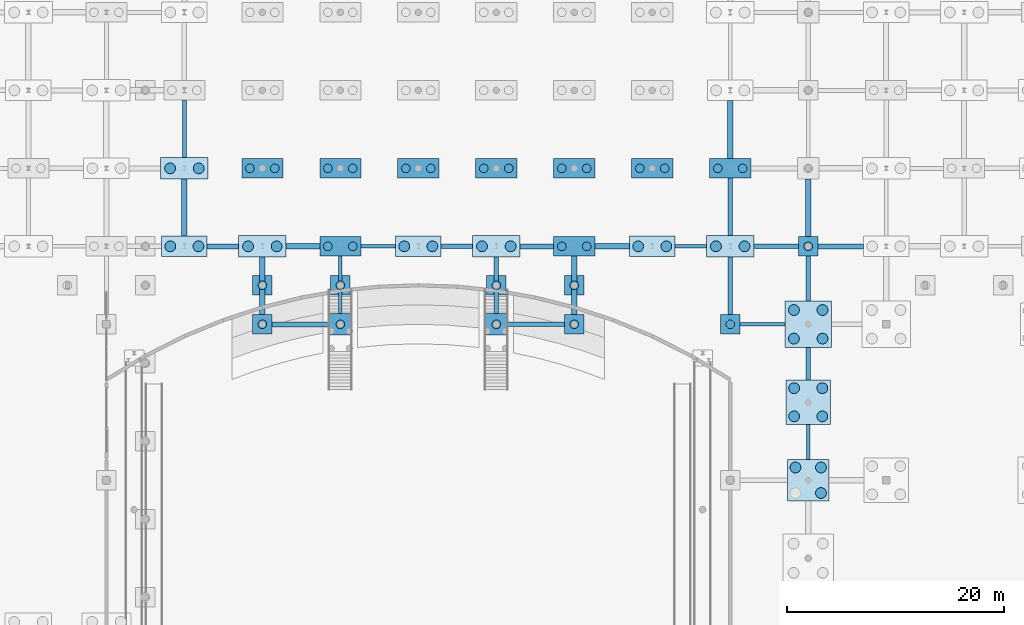
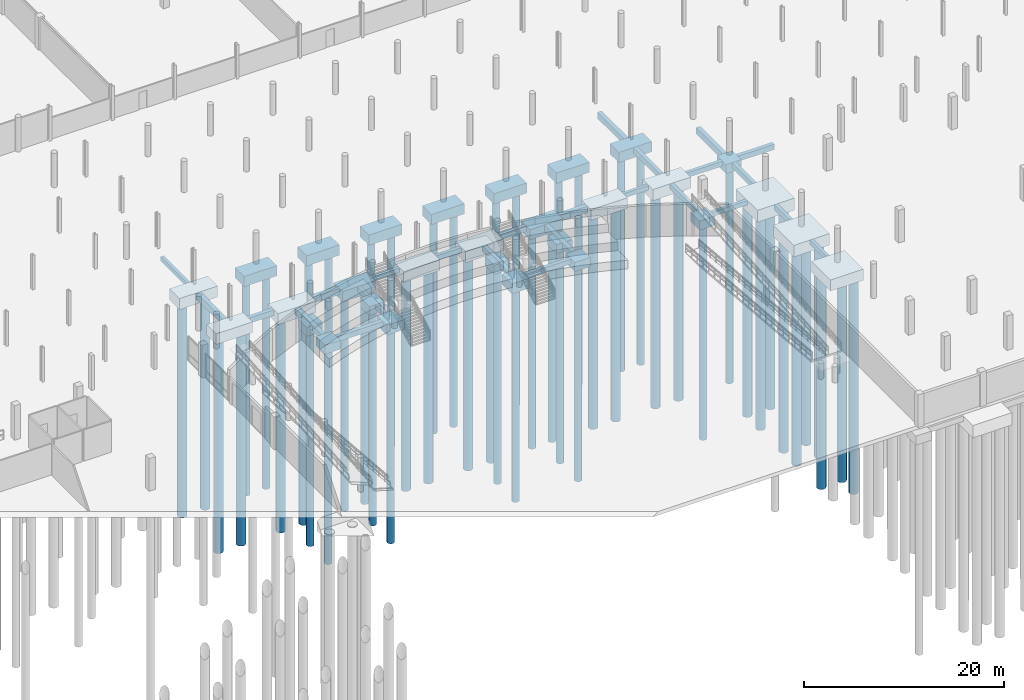
# One storey, part 5 of 56: 54 footings, 53 piles.
"""IFC4 building model written with IfcOpenShell, lengths in metres."""

from ifc_helpers import new_model, si_unit, direction, frame, origin, origin_2d, place, context, subcontext, project, spatial, rectangle, circle, extrude, material, material_profile, profile_set, type_object, element, save


model = new_model("IFC4")

# Units and contexts
model_context = context("Model", 3, precision=1e-05, world=origin(), true_north=direction((0.0, 1.0)))
body_context = subcontext(model_context, "Body", "Model", "MODEL_VIEW")
ifc_project = project(units=[si_unit("LENGTHUNIT", "METRE"), si_unit("AREAUNIT", "SQUARE_METRE"), si_unit("VOLUMEUNIT", "CUBIC_METRE"), si_unit("PLANEANGLEUNIT", "RADIAN"), si_unit("MASSUNIT", "GRAM", prefix="KILO")], contexts=[model_context])

# Site, building, storey
site_placement = place(None, origin())
site = spatial("IfcSite", under=ifc_project, at=site_placement, CompositionType="ELEMENT")
building_placement = place(site_placement, origin())
building = spatial("IfcBuilding", under=site, at=building_placement, Name="Suanplinth Sawtooth Commons", CompositionType="ELEMENT")
storey_placement = place(building_placement, frame((0.0, 0.0, -4.199951171875)))
storey = spatial("IfcBuildingStorey", under=building, at=storey_placement, Name="B1", CompositionType="ELEMENT", Elevation=-4.199951171875)

# Footings
ifc_material_1 = material(Name="Concrete C35/45", Category="concrete")
ifc_material_profile_1 = material_profile(ifc_material_1, rectangle(XDim=0.449951171875, YDim=0.64990234375, at=origin_2d()), Name="PC-GDR 450x650")
ifc_profile_set_1 = profile_set([ifc_material_profile_1], Name="Concrete C35/45")
footing_type_1 = type_object("IfcFootingType", Name="FB-01", PredefinedType="FOOTING_BEAM", material=ifc_profile_set_1)
footing_1_placement = place(storey_placement, frame((66.89990234375, 50.39990234375, -0.824951171875), z_axis=(1.0, 0.0, 0.0), x_axis=(0.0, 1.0, 0.0)))
element("IfcFooting", 1, at=footing_1_placement, inside=storey, type_object=footing_type_1, Name="Foundation Tie Beam 10-11/H", PredefinedType="FOOTING_BEAM", context=body_context, shape_type="SweptSolid", body=[
    extrude(rectangle(XDim=0.449951171875, YDim=0.64990234375, at=origin_2d()), origin(), (0.0, 0.0, 1.0), 2.900146484375),
])
footing_2_placement = place(storey_placement, frame((72.89990234375, 43.199951171875, -0.824951171875), z_axis=(1.0, 0.0, 0.0), x_axis=(0.0, 1.0, 0.0)))
element("IfcFooting", 2, at=footing_2_placement, inside=storey, type_object=footing_type_1, Name="Foundation Tie Beam 11-12/G", PredefinedType="FOOTING_BEAM", context=body_context, shape_type="SweptSolid", body=[
    extrude(rectangle(XDim=0.449951171875, YDim=0.64990234375, at=origin_2d()), origin(), (0.0, 0.0, 1.0), 5.300048828125),
])
footing_3_placement = place(storey_placement, frame((93.60009765625, 44.199951171875, -0.824951171875), z_axis=(0.0, 1.0, 0.0), x_axis=(-1.0, 0.0, 0.0)))
element("IfcFooting", 3, at=footing_3_placement, inside=storey, type_object=footing_type_1, Name="Foundation Tie Beam 14/G-H", PredefinedType="FOOTING_BEAM", context=body_context, shape_type="SweptSolid", body=[
    extrude(rectangle(XDim=0.449951171875, YDim=0.64990234375, at=origin_2d()), origin(), (0.0, 0.0, 1.0), 5.199951171875),
])
footing_4_placement = place(storey_placement, frame((95.800048828125, 50.39990234375, -0.824951171875), z_axis=(1.0, 0.0, 0.0), x_axis=(0.0, 1.0, 0.0)))
element("IfcFooting", 4, at=footing_4_placement, inside=storey, type_object=footing_type_1, Name="Foundation Tie Beam 14-15/H", PredefinedType="FOOTING_BEAM", context=body_context, shape_type="SweptSolid", body=[
    extrude(rectangle(XDim=0.449951171875, YDim=0.64990234375, at=origin_2d()), origin(), (0.0, 0.0, 1.0), 3.099853515625),
])
footing_5_placement = place(storey_placement, frame((115.199951171875, 51.39990234375, -0.824951171875), z_axis=(0.0, 1.0, 0.0), x_axis=(-1.0, 0.0, 0.0)))
element("IfcFooting", 5, at=footing_5_placement, inside=storey, type_object=footing_type_1, Name="Foundation Tie Beam 17/H-J", PredefinedType="FOOTING_BEAM", context=body_context, shape_type="SweptSolid", body=[
    extrude(rectangle(XDim=0.449951171875, YDim=0.64990234375, at=origin_2d()), origin(), (0.0, 0.0, 1.0), 5.300048828125),
])
footing_6_placement = place(storey_placement, frame((122.39990234375, 45.35009765625, -0.824951171875), z_axis=(0.0, 1.0, 0.0), x_axis=(-1.0, 0.0, 0.0)))
element("IfcFooting", 6, at=footing_6_placement, inside=storey, type_object=footing_type_1, Name="Foundation Tie Beam 18/G-H", PredefinedType="FOOTING_BEAM", context=body_context, shape_type="SweptSolid", body=[
    extrude(rectangle(XDim=0.449951171875, YDim=0.64990234375, at=origin_2d()), origin(), (0.0, 0.0, 1.0), 4.14990234375),
])
footing_7_placement = place(storey_placement, frame((123.300048828125, 50.39990234375, -0.824951171875), z_axis=(1.0, 0.0, 0.0), x_axis=(0.0, 1.0, 0.0)))
element("IfcFooting", 7, at=footing_7_placement, inside=storey, type_object=footing_type_1, Name="Foundation Tie Beam 18-19/H", PredefinedType="FOOTING_BEAM", context=body_context, shape_type="SweptSolid", body=[
    extrude(rectangle(XDim=0.449951171875, YDim=0.64990234375, at=origin_2d()), origin(), (0.0, 0.0, 1.0), 4.199951171875),
])
ifc_material_profile_2 = material_profile(ifc_material_1, rectangle(XDim=0.5, YDim=0.75, at=origin_2d()), Name="RC-GDR 500x750")
ifc_profile_set_2 = profile_set([ifc_material_profile_2], Name="Concrete C35/45")
footing_type_2 = type_object("IfcFootingType", Name="FB-02", PredefinedType="FOOTING_BEAM", material=ifc_profile_set_2)
footing_8_placement = place(storey_placement, frame((64.800048828125, 51.35009765625, -0.875), z_axis=(0.0, 1.0, 0.0), x_axis=(-1.0, 0.0, 0.0)))
element("IfcFooting", 8, at=footing_8_placement, inside=storey, type_object=footing_type_2, Name="Foundation Tie Beam 10/H-J", PredefinedType="FOOTING_BEAM", context=body_context, shape_type="SweptSolid", body=[
    extrude(rectangle(XDim=0.5, YDim=0.75, at=origin_2d()), origin(), (0.0, 0.0, 1.0), 5.25),
])
footing_9_placement = place(storey_placement, frame((72.0, 44.10009765625, -0.875), z_axis=(0.0, 1.0, 0.0), x_axis=(-1.0, 0.0, 0.0)))
element("IfcFooting", 9, at=footing_9_placement, inside=storey, type_object=footing_type_2, Name="Foundation Tie Beam 11/G-H", PredefinedType="FOOTING_BEAM", context=body_context, shape_type="SweptSolid", body=[
    extrude(rectangle(XDim=0.5, YDim=0.75, at=origin_2d()), origin(), (0.0, 0.0, 1.0), 5.2998046875),
])
footing_10_placement = place(storey_placement, frame((74.199951171875, 50.39990234375, -0.875), z_axis=(1.0, 0.0, 0.0), x_axis=(0.0, 1.0, 0.0)))
element("IfcFooting", 10, at=footing_10_placement, inside=storey, type_object=footing_type_2, Name="Foundation Tie Beam 11-12/H", PredefinedType="FOOTING_BEAM", context=body_context, shape_type="SweptSolid", body=[
    extrude(rectangle(XDim=0.5, YDim=0.75, at=origin_2d()), origin(), (0.0, 0.0, 1.0), 3.10009765625),
])
footing_11_placement = place(storey_placement, frame((100.800048828125, 44.10009765625, -0.875), z_axis=(0.0, 1.0, 0.0), x_axis=(-1.0, 0.0, 0.0)))
element("IfcFooting", 11, at=footing_11_placement, inside=storey, type_object=footing_type_2, Name="Foundation Tie Beam 15/G-H", PredefinedType="FOOTING_BEAM", context=body_context, shape_type="SweptSolid", body=[
    extrude(rectangle(XDim=0.5, YDim=0.75, at=origin_2d()), origin(), (0.0, 0.0, 1.0), 5.39990234375),
])
footing_12_placement = place(storey_placement, frame((102.699951171875, 50.39990234375, -0.875), z_axis=(1.0, 0.0, 0.0), x_axis=(0.0, 1.0, 0.0)))
element("IfcFooting", 12, at=footing_12_placement, inside=storey, type_object=footing_type_2, Name="Foundation Tie Beam 15-16/H", PredefinedType="FOOTING_BEAM", context=body_context, shape_type="SweptSolid", body=[
    extrude(rectangle(XDim=0.5, YDim=0.75, at=origin_2d()), origin(), (0.0, 0.0, 1.0), 3.199951171875),
])
footing_13_placement = place(storey_placement, frame((115.199951171875, 58.5, -0.875), z_axis=(0.0, 1.0, 0.0), x_axis=(-1.0, 0.0, 0.0)))
element("IfcFooting", 13, at=footing_13_placement, inside=storey, type_object=footing_type_2, Name="Foundation Tie Beam 17/J-K", PredefinedType="FOOTING_BEAM", context=body_context, shape_type="SweptSolid", body=[
    extrude(rectangle(XDim=0.5, YDim=0.75, at=origin_2d()), origin(), (0.0, 0.0, 1.0), 5.35009765625),
])
footing_14_placement = place(storey_placement, frame((122.39990234375, 51.300048828125, -0.875), z_axis=(0.0, 1.0, 0.0), x_axis=(-1.0, 0.0, 0.0)))
element("IfcFooting", 14, at=footing_14_placement, inside=storey, type_object=footing_type_2, Name="Foundation Tie Beam 18/H-J", PredefinedType="FOOTING_BEAM", context=body_context, shape_type="SweptSolid", body=[
    extrude(rectangle(XDim=0.5, YDim=0.75, at=origin_2d()), origin(), (0.0, 0.0, 1.0), 5.300048828125),
])
ifc_material_profile_3 = material_profile(ifc_material_1, rectangle(XDim=0.35009765625, YDim=0.550048828125, at=origin_2d()), Name="PC-BM 350x550")
ifc_profile_set_3 = profile_set([ifc_material_profile_3], Name="Concrete C35/45")
footing_type_3 = type_object("IfcFootingType", Name="FB-03", PredefinedType="FOOTING_BEAM", material=ifc_profile_set_3)
footing_15_placement = place(storey_placement, frame((64.800048828125, 58.60009765625, -0.775146484375), z_axis=(0.0, 1.0, 0.0), x_axis=(-1.0, 0.0, 0.0)))
element("IfcFooting", 15, at=footing_15_placement, inside=storey, type_object=footing_type_3, Name="Foundation Tie Beam 10/J-K", PredefinedType="FOOTING_BEAM", context=body_context, shape_type="SweptSolid", body=[
    extrude(rectangle(XDim=0.35009765625, YDim=0.550048828125, at=origin_2d()), origin(), (0.0, 0.0, 1.0), 5.2998046875),
])
footing_16_placement = place(storey_placement, frame((79.199951171875, 44.199951171875, -0.775146484375), z_axis=(0.0, 1.0, 0.0), x_axis=(-1.0, 0.0, 0.0)))
element("IfcFooting", 16, at=footing_16_placement, inside=storey, type_object=footing_type_3, Name="Foundation Tie Beam 12/G-H", PredefinedType="FOOTING_BEAM", context=body_context, shape_type="SweptSolid", body=[
    extrude(rectangle(XDim=0.35009765625, YDim=0.550048828125, at=origin_2d()), origin(), (0.0, 0.0, 1.0), 5.300048828125),
])
footing_17_placement = place(storey_placement, frame((81.10009765625, 50.39990234375, -0.775146484375), z_axis=(1.0, 0.0, 0.0), x_axis=(0.0, 1.0, 0.0)))
element("IfcFooting", 17, at=footing_17_placement, inside=storey, type_object=footing_type_3, Name="Foundation Tie Beam 12-13/H", PredefinedType="FOOTING_BEAM", context=body_context, shape_type="SweptSolid", body=[
    extrude(rectangle(XDim=0.35009765625, YDim=0.550048828125, at=origin_2d()), origin(), (0.0, 0.0, 1.0), 3.199951171875),
])
footing_18_placement = place(storey_placement, frame((110.10009765625, 50.39990234375, -0.775146484375), z_axis=(1.0, 0.0, 0.0), x_axis=(0.0, 1.0, 0.0)))
element("IfcFooting", 18, at=footing_18_placement, inside=storey, type_object=footing_type_3, Name="Foundation Tie Beam 16-17/H", PredefinedType="FOOTING_BEAM", context=body_context, shape_type="SweptSolid", body=[
    extrude(rectangle(XDim=0.35009765625, YDim=0.550048828125, at=origin_2d()), origin(), (0.0, 0.0, 1.0), 2.89990234375),
])
footing_19_placement = place(storey_placement, frame((116.10009765625, 43.199951171875, -0.775146484375), z_axis=(1.0, 0.0, 0.0), x_axis=(0.0, 1.0, 0.0)))
element("IfcFooting", 19, at=footing_19_placement, inside=storey, type_object=footing_type_3, Name="Foundation Tie Beam 17-18/G", PredefinedType="FOOTING_BEAM", context=body_context, shape_type="SweptSolid", body=[
    extrude(rectangle(XDim=0.35009765625, YDim=0.550048828125, at=origin_2d()), origin(), (0.0, 0.0, 1.0), 4.14990234375),
])
footing_20_placement = place(storey_placement, frame((122.39990234375, 30.699951171875, -0.775146484375), z_axis=(0.0, 1.0, 0.0), x_axis=(-1.0, 0.0, 0.0)))
element("IfcFooting", 20, at=footing_20_placement, inside=storey, type_object=footing_type_3, Name="Foundation Tie Beam 18/E-F", PredefinedType="FOOTING_BEAM", context=body_context, shape_type="SweptSolid", body=[
    extrude(rectangle(XDim=0.35009765625, YDim=0.550048828125, at=origin_2d()), origin(), (0.0, 0.0, 1.0), 3.25),
])
ifc_material_profile_4 = material_profile(ifc_material_1, rectangle(XDim=0.39990234375, YDim=0.60009765625, at=origin_2d()), Name="PC-GDR 400x600")
ifc_profile_set_4 = profile_set([ifc_material_profile_4], Name="Concrete C35/45")
footing_type_4 = type_object("IfcFootingType", Name="FB-04", PredefinedType="FOOTING_BEAM", material=ifc_profile_set_4)
footing_21_placement = place(storey_placement, frame((88.5, 50.39990234375, -0.800048828125), z_axis=(1.0, 0.0, 0.0), x_axis=(0.0, 1.0, 0.0)))
element("IfcFooting", 21, at=footing_21_placement, inside=storey, type_object=footing_type_4, Name="Foundation Tie Beam 13-14/H", PredefinedType="FOOTING_BEAM", context=body_context, shape_type="SweptSolid", body=[
    extrude(rectangle(XDim=0.39990234375, YDim=0.60009765625, at=origin_2d()), origin(), (0.0, 0.0, 1.0), 2.89990234375),
])
for number, where, z_axis, x_axis, name in (
    (22, (94.60009765625, 43.199951171875, -0.800048828125), (1.0, 0.0, 0.0), (0.0, 1.0, 0.0), "Foundation Tie Beam 14-15/G"),
    (23, (115.199951171875, 44.10009765625, -0.800048828125), (0.0, 1.0, 0.0), (-1.0, 0.0, 0.0), "Foundation Tie Beam 17/G-H"),
):
    element("IfcFooting", number, at=place(storey_placement, frame(where, z_axis=z_axis, x_axis=x_axis)), inside=storey, type_object=footing_type_4, Name=name, PredefinedType="FOOTING_BEAM", context=body_context, shape_type="SweptSolid", body=[
        extrude(rectangle(XDim=0.39990234375, YDim=0.60009765625, at=origin_2d()), origin(), (0.0, 0.0, 1.0), 5.2998046875),
    ])
footing_22_placement = place(storey_placement, frame((117.39990234375, 50.39990234375, -0.800048828125), z_axis=(1.0, 0.0, 0.0), x_axis=(0.0, 1.0, 0.0)))
element("IfcFooting", 24, at=footing_22_placement, inside=storey, type_object=footing_type_4, Name="Foundation Tie Beam 17-18/H", PredefinedType="FOOTING_BEAM", context=body_context, shape_type="SweptSolid", body=[
    extrude(rectangle(XDim=0.39990234375, YDim=0.60009765625, at=origin_2d()), origin(), (0.0, 0.0, 1.0), 4.10009765625),
])
footing_23_placement = place(storey_placement, frame((122.39990234375, 38.050048828125, -0.800048828125), z_axis=(0.0, 1.0, 0.0), x_axis=(-1.0, 0.0, 0.0)))
element("IfcFooting", 25, at=footing_23_placement, inside=storey, type_object=footing_type_4, Name="Foundation Tie Beam 18/F-G", PredefinedType="FOOTING_BEAM", context=body_context, shape_type="SweptSolid", body=[
    extrude(rectangle(XDim=0.39990234375, YDim=0.60009765625, at=origin_2d()), origin(), (0.0, 0.0, 1.0), 3.0),
])
footing_type_5 = type_object("IfcFootingType", Name="FC-01", PredefinedType="PILE_CAP", material=ifc_material_1)
for number, where, z_axis, x_axis, name in (
    (26, (72.0, 43.199951171875, -1.60009765625), (0.0, 0.0, 1.0), (1.0, 0.0, 0.0), "Pile Cap 11/G"),
    (27, (100.800048828125, 43.199951171875, -1.60009765625), (0.0, 0.0, 1.0), (1.0, 0.0, 0.0), "Pile Cap 15/G"),
    (28, (115.199951171875, 43.199951171875, -1.60009765625), (0.0, 0.0, 1.0), (1.0, 0.0, 0.0), "Pile Cap 17/G"),
    (29, (122.39990234375, 50.39990234375, -1.60009765625), (0.0, 0.0, 1.0), (1.0, 0.0, 0.0), "Pile Cap 18/H"),
    (30, (72.0, 46.800048828125, -1.60009765625), (0.0, 0.0, 1.0), (1.0, 0.0, 0.0), "Metro Ridge Cap 11"),
    (31, (79.199951171875, 46.800048828125, -1.60009765625), (0.0, 0.0, 1.0), (1.0, 0.0, 0.0), "Metro Ridge Cap 12"),
    (32, (93.60009765625, 46.800048828125, -1.60009765625), (0.0, 0.0, 1.0), (1.0, 0.0, 0.0), "Metro Ridge Cap 14"),
    (33, (100.800048828125, 46.800048828125, -1.60009765625), (0.0, 0.0, 1.0), (1.0, 0.0, 0.0), "Metro Ridge Cap 15"),
):
    element("IfcFooting", number, at=place(storey_placement, frame(where, z_axis=z_axis, x_axis=x_axis)), inside=storey, type_object=footing_type_5, Name=name, PredefinedType="PILE_CAP", context=body_context, shape_type="SweptSolid", body=[
        extrude(rectangle(XDim=1.800048828125, YDim=1.800048828125, at=origin_2d()), origin(), (0.0, 0.0, 1.0), 1.10009765625),
    ])
footing_type_6 = type_object("IfcFootingType", Name="FC-02", PredefinedType="PILE_CAP", material=ifc_material_1)
for number, where, z_axis, x_axis, name in (
    (34, (79.199951171875, 43.199951171875, -1.7001953125), (0.0, 0.0, 1.0), (1.0, 0.0, 0.0), "Pile Cap 12/G"),
    (35, (93.60009765625, 43.199951171875, -1.7001953125), (0.0, 0.0, 1.0), (1.0, 0.0, 0.0), "Pile Cap 14/G"),
):
    element("IfcFooting", number, at=place(storey_placement, frame(where, z_axis=z_axis, x_axis=x_axis)), inside=storey, type_object=footing_type_6, Name=name, PredefinedType="PILE_CAP", context=body_context, shape_type="SweptSolid", body=[
        extrude(rectangle(XDim=2.0, YDim=2.0, at=origin_2d()), origin(), (0.0, 0.0, 1.0), 1.199951171875),
    ])
footing_type_7 = type_object("IfcFootingType", Name="FC-03", PredefinedType="PILE_CAP", material=ifc_material_1)
for number, where, z_axis, x_axis, name in (
    (36, (79.199951171875, 50.39990234375, -1.75), (0.0, 0.0, 1.0), (1.0, 0.0, 0.0), "Pile Cap 12/H"),
    (37, (100.800048828125, 50.39990234375, -1.75), (0.0, 0.0, 1.0), (1.0, 0.0, 0.0), "Pile Cap 15/H"),
    (38, (115.199951171875, 57.60009765625, -1.75), (0.0, 0.0, 1.0), (1.0, 0.0, 0.0), "Pile Cap 17/J"),
    (39, (72.0, 57.60009765625, -1.75), (0.0, 0.0, 1.0), (1.0, 0.0, 0.0), "Hall Substructure Cap 11/J"),
    (40, (79.199951171875, 57.60009765625, -1.75), (0.0, 0.0, 1.0), (1.0, 0.0, 0.0), "Hall Substructure Cap 12/J"),
    (41, (86.39990234375, 57.60009765625, -1.75), (0.0, 0.0, 1.0), (1.0, 0.0, 0.0), "Hall Substructure Cap 13/J"),
    (42, (93.60009765625, 57.60009765625, -1.75), (0.0, 0.0, 1.0), (1.0, 0.0, 0.0), "Hall Substructure Cap 14/J"),
    (43, (100.800048828125, 57.60009765625, -1.75), (0.0, 0.0, 1.0), (1.0, 0.0, 0.0), "Hall Substructure Cap 15/J"),
    (44, (108.0, 57.60009765625, -1.75), (0.0, 0.0, 1.0), (1.0, 0.0, 0.0), "Hall Substructure Cap 16/J"),
):
    element("IfcFooting", number, at=place(storey_placement, frame(where, z_axis=z_axis, x_axis=x_axis)), inside=storey, type_object=footing_type_7, Name=name, PredefinedType="PILE_CAP", context=body_context, shape_type="SweptSolid", body=[
        extrude(rectangle(XDim=3.800048828125, YDim=1.800048828125, at=origin_2d()), origin(), (0.0, 0.0, 1.0), 1.25),
    ])
footing_type_8 = type_object("IfcFootingType", Name="FC-04", PredefinedType="PILE_CAP", material=ifc_material_1)
for number, where, z_axis, x_axis, name in (
    (45, (64.800048828125, 50.39990234375, -1.80029296875), (0.0, 0.0, 1.0), (1.0, 0.0, 0.0), "Pile Cap 10/H"),
    (46, (86.39990234375, 50.39990234375, -1.80029296875), (0.0, 0.0, 1.0), (1.0, 0.0, 0.0), "Pile Cap 13/H"),
    (47, (108.0, 50.39990234375, -1.80029296875), (0.0, 0.0, 1.0), (1.0, 0.0, 0.0), "Pile Cap 16/H"),
):
    element("IfcFooting", number, at=place(storey_placement, frame(where, z_axis=z_axis, x_axis=x_axis)), inside=storey, type_object=footing_type_8, Name=name, PredefinedType="PILE_CAP", context=body_context, shape_type="SweptSolid", body=[
        extrude(rectangle(XDim=4.199951171875, YDim=1.89990234375, at=origin_2d()), origin(), (0.0, 0.0, 1.0), 1.300048828125),
    ])
footing_type_9 = type_object("IfcFootingType", Name="FC-05", PredefinedType="PILE_CAP", material=ifc_material_1)
for number, where, z_axis, x_axis, name in (
    (48, (64.800048828125, 57.60009765625, -1.85009765625), (0.0, 0.0, 1.0), (1.0, 0.0, 0.0), "Pile Cap 10/J"),
    (49, (72.0, 50.39990234375, -1.85009765625), (0.0, 0.0, 1.0), (1.0, 0.0, 0.0), "Pile Cap 11/H"),
    (50, (93.60009765625, 50.39990234375, -1.85009765625), (0.0, 0.0, 1.0), (1.0, 0.0, 0.0), "Pile Cap 14/H"),
    (51, (115.199951171875, 50.39990234375, -1.85009765625), (0.0, 0.0, 1.0), (1.0, 0.0, 0.0), "Pile Cap 17/H"),
):
    element("IfcFooting", number, at=place(storey_placement, frame(where, z_axis=z_axis, x_axis=x_axis)), inside=storey, type_object=footing_type_9, Name=name, PredefinedType="PILE_CAP", context=body_context, shape_type="SweptSolid", body=[
        extrude(rectangle(XDim=4.39990234375, YDim=2.0, at=origin_2d()), origin(), (0.0, 0.0, 1.0), 1.35009765625),
    ])
footing_type_10 = type_object("IfcFootingType", Name="FC-06", PredefinedType="PILE_CAP", material=ifc_material_1)
footing_24_placement = place(storey_placement, frame((122.39990234375, 28.800048828125, -1.85009765625), z_axis=(0.0, 0.0, 1.0), x_axis=(1.0, 0.0, 0.0)))
element("IfcFooting", 52, at=footing_24_placement, inside=storey, type_object=footing_type_10, Name="Pile Cap 18/E", PredefinedType="PILE_CAP", context=body_context, shape_type="SweptSolid", body=[
    extrude(rectangle(XDim=3.800048828125, YDim=3.800048828125, at=origin_2d()), origin(), (0.0, 0.0, 1.0), 1.35009765625),
])
footing_type_11 = type_object("IfcFootingType", Name="FC-07", PredefinedType="PILE_CAP", material=ifc_material_1)
footing_25_placement = place(storey_placement, frame((122.39990234375, 36.0, -1.89990234375), z_axis=(0.0, 0.0, 1.0), x_axis=(1.0, 0.0, 0.0)))
element("IfcFooting", 53, at=footing_25_placement, inside=storey, type_object=footing_type_11, Name="Pile Cap 18/F", PredefinedType="PILE_CAP", context=body_context, shape_type="SweptSolid", body=[
    extrude(rectangle(XDim=4.10009765625, YDim=4.10009765625, at=origin_2d()), origin(), (0.0, 0.0, 1.0), 1.39990234375),
])
footing_type_12 = type_object("IfcFootingType", Name="FC-08", PredefinedType="PILE_CAP", material=ifc_material_1)
footing_26_placement = place(storey_placement, frame((122.39990234375, 43.199951171875, -1.9501953125), z_axis=(0.0, 0.0, 1.0), x_axis=(1.0, 0.0, 0.0)))
element("IfcFooting", 54, at=footing_26_placement, inside=storey, type_object=footing_type_12, Name="Pile Cap 18/G", PredefinedType="PILE_CAP", context=body_context, shape_type="SweptSolid", body=[
    extrude(rectangle(XDim=4.300048828125, YDim=4.300048828125, at=origin_2d()), origin(), (0.0, 0.0, 1.0), 1.449951171875),
])

# Piles
ifc_material_2 = material(Name="Concrete C32/40", Category="concrete")
ifc_material_profile_5 = material_profile(ifc_material_2, circle(Radius=0.39990234375, at=origin_2d()), Name="PILE D800")
ifc_profile_set_5 = profile_set([ifc_material_profile_5], Name="Concrete C32/40")
pile_type_1 = type_object("IfcPileType", Name="P-01", PredefinedType="BORED", material=ifc_profile_set_5)
pile_1_placement = place(storey_placement, frame((72.0, 43.199951171875, -1.5), z_axis=(0.0, 0.0, -1.0), x_axis=(1.0, 0.0, 0.0)))
element("IfcPile", 55, at=pile_1_placement, inside=storey, type_object=pile_type_1, Name="Bored Pile 11/G-1", PredefinedType="BORED", context=body_context, shape_type="SweptSolid", body=[
    extrude(circle(Radius=0.39990234375, at=origin_2d()), origin(), (0.0, 0.0, 1.0), 26.300048828125),
])
pile_2_placement = place(storey_placement, frame((79.199951171875, 43.199951171875, -1.60009765625), z_axis=(0.0, 0.0, -1.0), x_axis=(1.0, 0.0, 0.0)))
element("IfcPile", 56, at=pile_2_placement, inside=storey, type_object=pile_type_1, Name="Bored Pile 12/G-1", PredefinedType="BORED", context=body_context, shape_type="SweptSolid", body=[
    extrude(circle(Radius=0.39990234375, at=origin_2d()), origin(), (0.0, 0.0, 1.0), 26.199951171875),
])
for number, where, z_axis, x_axis, name in (
    (57, (78.050048828125, 50.39990234375, -1.650146484375), (0.0, 0.0, -1.0), (1.0, 0.0, 0.0), "Bored Pile 12/H-1"),
    (58, (80.35009765625, 50.39990234375, -1.650146484375), (0.0, 0.0, -1.0), (1.0, 0.0, 0.0), "Bored Pile 12/H-2"),
):
    element("IfcPile", number, at=place(storey_placement, frame(where, z_axis=z_axis, x_axis=x_axis)), inside=storey, type_object=pile_type_1, Name=name, PredefinedType="BORED", context=body_context, shape_type="SweptSolid", body=[
        extrude(circle(Radius=0.39990234375, at=origin_2d()), origin(), (0.0, 0.0, 1.0), 26.14990234375),
    ])
pile_3_placement = place(storey_placement, frame((93.60009765625, 43.199951171875, -1.60009765625), z_axis=(0.0, 0.0, -1.0), x_axis=(1.0, 0.0, 0.0)))
element("IfcPile", 59, at=pile_3_placement, inside=storey, type_object=pile_type_1, Name="Bored Pile 14/G-1", PredefinedType="BORED", context=body_context, shape_type="SweptSolid", body=[
    extrude(circle(Radius=0.39990234375, at=origin_2d()), origin(), (0.0, 0.0, 1.0), 26.199951171875),
])
pile_4_placement = place(storey_placement, frame((100.800048828125, 43.199951171875, -1.5), z_axis=(0.0, 0.0, -1.0), x_axis=(1.0, 0.0, 0.0)))
element("IfcPile", 60, at=pile_4_placement, inside=storey, type_object=pile_type_1, Name="Bored Pile 15/G-1", PredefinedType="BORED", context=body_context, shape_type="SweptSolid", body=[
    extrude(circle(Radius=0.39990234375, at=origin_2d()), origin(), (0.0, 0.0, 1.0), 26.300048828125),
])
for number, where, z_axis, x_axis, name in (
    (61, (99.64990234375, 50.39990234375, -1.650146484375), (0.0, 0.0, -1.0), (1.0, 0.0, 0.0), "Bored Pile 15/H-1"),
    (62, (101.949951171875, 50.39990234375, -1.650146484375), (0.0, 0.0, -1.0), (1.0, 0.0, 0.0), "Bored Pile 15/H-2"),
):
    element("IfcPile", number, at=place(storey_placement, frame(where, z_axis=z_axis, x_axis=x_axis)), inside=storey, type_object=pile_type_1, Name=name, PredefinedType="BORED", context=body_context, shape_type="SweptSolid", body=[
        extrude(circle(Radius=0.39990234375, at=origin_2d()), origin(), (0.0, 0.0, 1.0), 26.14990234375),
    ])
pile_5_placement = place(storey_placement, frame((115.199951171875, 43.199951171875, -1.5), z_axis=(0.0, 0.0, -1.0), x_axis=(1.0, 0.0, 0.0)))
element("IfcPile", 63, at=pile_5_placement, inside=storey, type_object=pile_type_1, Name="Bored Pile 17/G-1", PredefinedType="BORED", context=body_context, shape_type="SweptSolid", body=[
    extrude(circle(Radius=0.39990234375, at=origin_2d()), origin(), (0.0, 0.0, 1.0), 26.300048828125),
])
for number, where, z_axis, x_axis, name in (
    (64, (114.050048828125, 57.60009765625, -1.650146484375), (0.0, 0.0, -1.0), (1.0, 0.0, 0.0), "Bored Pile 17/J-1"),
    (65, (116.35009765625, 57.60009765625, -1.650146484375), (0.0, 0.0, -1.0), (1.0, 0.0, 0.0), "Bored Pile 17/J-2"),
):
    element("IfcPile", number, at=place(storey_placement, frame(where, z_axis=z_axis, x_axis=x_axis)), inside=storey, type_object=pile_type_1, Name=name, PredefinedType="BORED", context=body_context, shape_type="SweptSolid", body=[
        extrude(circle(Radius=0.39990234375, at=origin_2d()), origin(), (0.0, 0.0, 1.0), 26.14990234375),
    ])
pile_6_placement = place(storey_placement, frame((122.39990234375, 50.39990234375, -1.5), z_axis=(0.0, 0.0, -1.0), x_axis=(1.0, 0.0, 0.0)))
element("IfcPile", 66, at=pile_6_placement, inside=storey, type_object=pile_type_1, Name="Bored Pile 18/H-1", PredefinedType="BORED", context=body_context, shape_type="SweptSolid", body=[
    extrude(circle(Radius=0.39990234375, at=origin_2d()), origin(), (0.0, 0.0, 1.0), 26.300048828125),
])
for number, where, z_axis, x_axis, name in (
    (67, (70.85009765625, 57.60009765625, -1.650146484375), (0.0, 0.0, -1.0), (1.0, 0.0, 0.0), "Hall Substructure Pile 11/J-1"),
    (68, (73.14990234375, 57.60009765625, -1.650146484375), (0.0, 0.0, -1.0), (1.0, 0.0, 0.0), "Hall Substructure Pile 11/J-2"),
    (69, (78.050048828125, 57.60009765625, -1.650146484375), (0.0, 0.0, -1.0), (1.0, 0.0, 0.0), "Hall Substructure Pile 12/J-1"),
    (70, (80.35009765625, 57.60009765625, -1.650146484375), (0.0, 0.0, -1.0), (1.0, 0.0, 0.0), "Hall Substructure Pile 12/J-2"),
    (71, (85.25, 57.60009765625, -1.650146484375), (0.0, 0.0, -1.0), (1.0, 0.0, 0.0), "Hall Substructure Pile 13/J-1"),
    (72, (87.550048828125, 57.60009765625, -1.650146484375), (0.0, 0.0, -1.0), (1.0, 0.0, 0.0), "Hall Substructure Pile 13/J-2"),
    (73, (92.449951171875, 57.60009765625, -1.650146484375), (0.0, 0.0, -1.0), (1.0, 0.0, 0.0), "Hall Substructure Pile 14/J-1"),
    (74, (94.75, 57.60009765625, -1.650146484375), (0.0, 0.0, -1.0), (1.0, 0.0, 0.0), "Hall Substructure Pile 14/J-2"),
    (75, (99.64990234375, 57.60009765625, -1.650146484375), (0.0, 0.0, -1.0), (1.0, 0.0, 0.0), "Hall Substructure Pile 15/J-1"),
    (76, (101.949951171875, 57.60009765625, -1.650146484375), (0.0, 0.0, -1.0), (1.0, 0.0, 0.0), "Hall Substructure Pile 15/J-2"),
    (77, (106.85009765625, 57.60009765625, -1.650146484375), (0.0, 0.0, -1.0), (1.0, 0.0, 0.0), "Hall Substructure Pile 16/J-1"),
    (78, (109.14990234375, 57.60009765625, -1.650146484375), (0.0, 0.0, -1.0), (1.0, 0.0, 0.0), "Hall Substructure Pile 16/J-2"),
):
    element("IfcPile", number, at=place(storey_placement, frame(where, z_axis=z_axis, x_axis=x_axis)), inside=storey, type_object=pile_type_1, Name=name, PredefinedType="BORED", context=body_context, shape_type="SweptSolid", body=[
        extrude(circle(Radius=0.39990234375, at=origin_2d()), origin(), (0.0, 0.0, 1.0), 26.14990234375),
    ])
for number, where, z_axis, x_axis, name in (
    (79, (72.0, 46.800048828125, -1.5), (0.0, 0.0, -1.0), (1.0, 0.0, 0.0), "Metro Ridge Pile 11"),
    (80, (79.199951171875, 46.800048828125, -1.5), (0.0, 0.0, -1.0), (1.0, 0.0, 0.0), "Metro Ridge Pile 12"),
    (81, (93.60009765625, 46.800048828125, -1.5), (0.0, 0.0, -1.0), (1.0, 0.0, 0.0), "Metro Ridge Pile 14"),
    (82, (100.800048828125, 46.800048828125, -1.5), (0.0, 0.0, -1.0), (1.0, 0.0, 0.0), "Metro Ridge Pile 15"),
):
    element("IfcPile", number, at=place(storey_placement, frame(where, z_axis=z_axis, x_axis=x_axis)), inside=storey, type_object=pile_type_1, Name=name, PredefinedType="BORED", context=body_context, shape_type="SweptSolid", body=[
        extrude(circle(Radius=0.39990234375, at=origin_2d()), origin(), (0.0, 0.0, 1.0), 26.300048828125),
    ])
ifc_material_profile_6 = material_profile(ifc_material_2, circle(Radius=0.5, at=origin_2d()), Name="PILE D1000")
ifc_profile_set_6 = profile_set([ifc_material_profile_6], Name="Concrete C32/40")
pile_type_2 = type_object("IfcPileType", Name="P-02", PredefinedType="BORED", material=ifc_profile_set_6)
for number, where, z_axis, x_axis, name in (
    (83, (63.5, 50.39990234375, -1.699951171875), (0.0, 0.0, -1.0), (1.0, 0.0, 0.0), "Bored Pile 10/H-1"),
    (84, (66.10009765625, 50.39990234375, -1.699951171875), (0.0, 0.0, -1.0), (1.0, 0.0, 0.0), "Bored Pile 10/H-2"),
):
    element("IfcPile", number, at=place(storey_placement, frame(where, z_axis=z_axis, x_axis=x_axis)), inside=storey, type_object=pile_type_2, Name=name, PredefinedType="BORED", context=body_context, shape_type="SweptSolid", body=[
        extrude(circle(Radius=0.5, at=origin_2d()), origin(), (0.0, 0.0, 1.0), 26.10009765625),
    ])
for number, where, z_axis, x_axis, name in (
    (85, (63.47998046875, 57.60009765625, -1.75), (0.0, 0.0, -1.0), (1.0, 0.0, 0.0), "Bored Pile 10/J-1"),
    (86, (66.1201171875, 57.60009765625, -1.75), (0.0, 0.0, -1.0), (1.0, 0.0, 0.0), "Bored Pile 10/J-2"),
    (87, (70.679931640625, 50.39990234375, -1.75), (0.0, 0.0, -1.0), (1.0, 0.0, 0.0), "Bored Pile 11/H-1"),
    (88, (73.320068359375, 50.39990234375, -1.75), (0.0, 0.0, -1.0), (1.0, 0.0, 0.0), "Bored Pile 11/H-2"),
):
    element("IfcPile", number, at=place(storey_placement, frame(where, z_axis=z_axis, x_axis=x_axis)), inside=storey, type_object=pile_type_2, Name=name, PredefinedType="BORED", context=body_context, shape_type="SweptSolid", body=[
        extrude(circle(Radius=0.5, at=origin_2d()), origin(), (0.0, 0.0, 1.0), 26.050048828125),
    ])
for number, where, z_axis, x_axis, name in (
    (89, (85.10009765625, 50.39990234375, -1.699951171875), (0.0, 0.0, -1.0), (1.0, 0.0, 0.0), "Bored Pile 13/H-1"),
    (90, (87.699951171875, 50.39990234375, -1.699951171875), (0.0, 0.0, -1.0), (1.0, 0.0, 0.0), "Bored Pile 13/H-2"),
):
    element("IfcPile", number, at=place(storey_placement, frame(where, z_axis=z_axis, x_axis=x_axis)), inside=storey, type_object=pile_type_2, Name=name, PredefinedType="BORED", context=body_context, shape_type="SweptSolid", body=[
        extrude(circle(Radius=0.5, at=origin_2d()), origin(), (0.0, 0.0, 1.0), 26.10009765625),
    ])
for number, where, z_axis, x_axis, name in (
    (91, (92.280029296875, 50.39990234375, -1.75), (0.0, 0.0, -1.0), (1.0, 0.0, 0.0), "Bored Pile 14/H-1"),
    (92, (94.919921875, 50.39990234375, -1.75), (0.0, 0.0, -1.0), (1.0, 0.0, 0.0), "Bored Pile 14/H-2"),
):
    element("IfcPile", number, at=place(storey_placement, frame(where, z_axis=z_axis, x_axis=x_axis)), inside=storey, type_object=pile_type_2, Name=name, PredefinedType="BORED", context=body_context, shape_type="SweptSolid", body=[
        extrude(circle(Radius=0.5, at=origin_2d()), origin(), (0.0, 0.0, 1.0), 26.050048828125),
    ])
for number, where, z_axis, x_axis, name in (
    (93, (106.699951171875, 50.39990234375, -1.699951171875), (0.0, 0.0, -1.0), (1.0, 0.0, 0.0), "Bored Pile 16/H-1"),
    (94, (109.300048828125, 50.39990234375, -1.699951171875), (0.0, 0.0, -1.0), (1.0, 0.0, 0.0), "Bored Pile 16/H-2"),
):
    element("IfcPile", number, at=place(storey_placement, frame(where, z_axis=z_axis, x_axis=x_axis)), inside=storey, type_object=pile_type_2, Name=name, PredefinedType="BORED", context=body_context, shape_type="SweptSolid", body=[
        extrude(circle(Radius=0.5, at=origin_2d()), origin(), (0.0, 0.0, 1.0), 26.10009765625),
    ])
for number, where, z_axis, x_axis, name in (
    (95, (113.8798828125, 50.39990234375, -1.75), (0.0, 0.0, -1.0), (1.0, 0.0, 0.0), "Bored Pile 17/H-1"),
    (96, (116.52001953125, 50.39990234375, -1.75), (0.0, 0.0, -1.0), (1.0, 0.0, 0.0), "Bored Pile 17/H-2"),
    (97, (123.580078125, 27.6201171875, -1.75), (0.0, 0.0, -1.0), (1.0, 0.0, 0.0), "Bored Pile 18/E-2"),
    (98, (121.219970703125, 29.97998046875, -1.75), (0.0, 0.0, -1.0), (1.0, 0.0, 0.0), "Bored Pile 18/E-3"),
    (99, (123.580078125, 29.97998046875, -1.75), (0.0, 0.0, -1.0), (1.0, 0.0, 0.0), "Bored Pile 18/E-4"),
):
    element("IfcPile", number, at=place(storey_placement, frame(where, z_axis=z_axis, x_axis=x_axis)), inside=storey, type_object=pile_type_2, Name=name, PredefinedType="BORED", context=body_context, shape_type="SweptSolid", body=[
        extrude(circle(Radius=0.5, at=origin_2d()), origin(), (0.0, 0.0, 1.0), 26.050048828125),
    ])
for number, where, z_axis, x_axis, name in (
    (100, (121.10009765625, 34.699951171875, -1.800048828125), (0.0, 0.0, -1.0), (1.0, 0.0, 0.0), "Bored Pile 18/F-1"),
    (101, (123.699951171875, 34.699951171875, -1.800048828125), (0.0, 0.0, -1.0), (1.0, 0.0, 0.0), "Bored Pile 18/F-2"),
    (102, (121.10009765625, 37.300048828125, -1.800048828125), (0.0, 0.0, -1.0), (1.0, 0.0, 0.0), "Bored Pile 18/F-3"),
    (103, (123.699951171875, 37.300048828125, -1.800048828125), (0.0, 0.0, -1.0), (1.0, 0.0, 0.0), "Bored Pile 18/F-4"),
):
    element("IfcPile", number, at=place(storey_placement, frame(where, z_axis=z_axis, x_axis=x_axis)), inside=storey, type_object=pile_type_2, Name=name, PredefinedType="BORED", context=body_context, shape_type="SweptSolid", body=[
        extrude(circle(Radius=0.5, at=origin_2d()), origin(), (0.0, 0.0, 1.0), 26.0),
    ])
for number, where, z_axis, x_axis, name in (
    (104, (121.080078125, 41.8798828125, -1.85009765625), (0.0, 0.0, -1.0), (1.0, 0.0, 0.0), "Bored Pile 18/G-1"),
    (105, (123.719970703125, 41.8798828125, -1.85009765625), (0.0, 0.0, -1.0), (1.0, 0.0, 0.0), "Bored Pile 18/G-2"),
    (106, (121.080078125, 44.52001953125, -1.85009765625), (0.0, 0.0, -1.0), (1.0, 0.0, 0.0), "Bored Pile 18/G-3"),
    (107, (123.719970703125, 44.52001953125, -1.85009765625), (0.0, 0.0, -1.0), (1.0, 0.0, 0.0), "Bored Pile 18/G-4"),
):
    element("IfcPile", number, at=place(storey_placement, frame(where, z_axis=z_axis, x_axis=x_axis)), inside=storey, type_object=pile_type_2, Name=name, PredefinedType="BORED", context=body_context, shape_type="SweptSolid", body=[
        extrude(circle(Radius=0.5, at=origin_2d()), origin(), (0.0, 0.0, 1.0), 25.949951171875),
    ])

save(model, "model.ifc")
